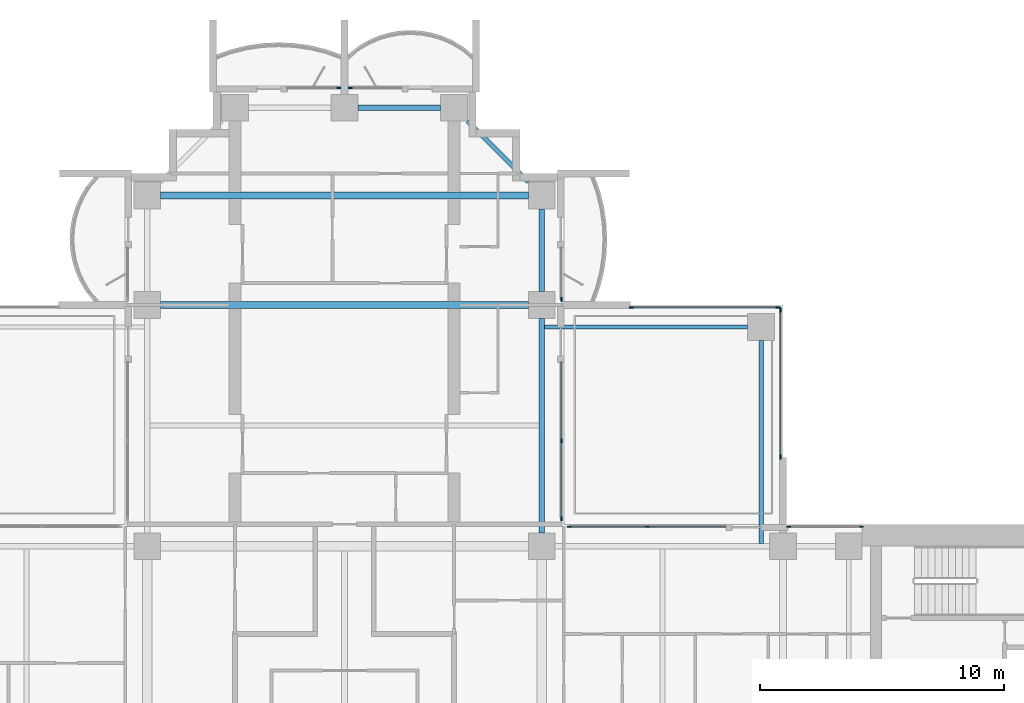
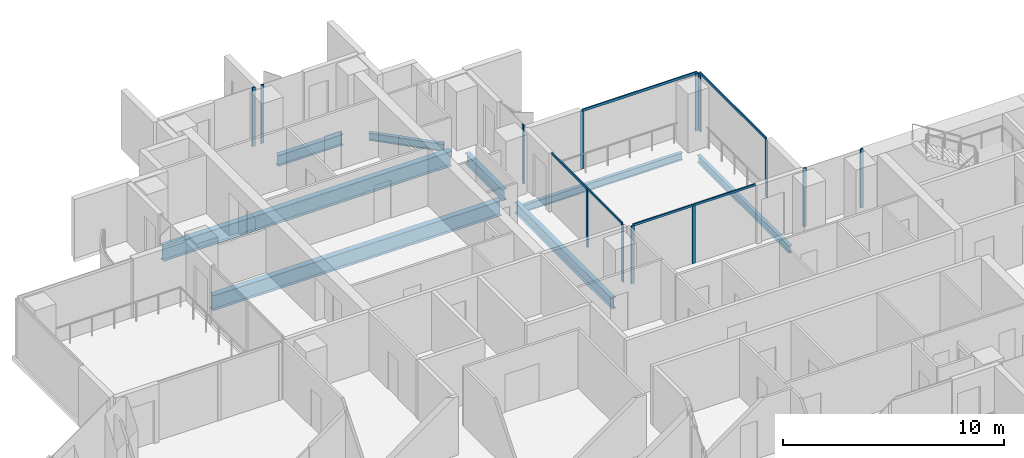
# One storey, part 6 of 19: 17 members, 8 beams, 8 elements without a shape of their own.
"""IFC4 building model written with IfcOpenShell, lengths in metres."""

from ifc_helpers import new_model, si_unit, direction, frame, origin, origin_2d, place, context, subcontext, project, spatial, rectangle, i_section, extrude, material, material_profile, profile_set, type_object, element, aggregate, save


model = new_model("IFC4")

# Units and contexts
model_context = context("Model", 3, precision=1e-05, world=origin(), true_north=direction((0.0, 1.0)))
body_context = subcontext(model_context, "Body", "Model", "MODEL_VIEW")
ifc_project = project(units=[si_unit("LENGTHUNIT", "METRE"), si_unit("AREAUNIT", "SQUARE_METRE"), si_unit("VOLUMEUNIT", "CUBIC_METRE"), si_unit("PLANEANGLEUNIT", "RADIAN"), si_unit("MASSUNIT", "GRAM", prefix="KILO")], contexts=[model_context])

# Site, building, storey
site_placement = place(None, origin())
site = spatial("IfcSite", under=ifc_project, at=site_placement, CompositionType="ELEMENT")
building_placement = place(site_placement, origin())
building = spatial("IfcBuilding", under=site, at=building_placement, Name="Perihelion Cross Residences", CompositionType="ELEMENT")
storey_placement = place(building_placement, frame((0.0, 0.0, 112.89990234375)))
storey = spatial("IfcBuildingStorey", under=building, at=storey_placement, Name="L26", CompositionType="ELEMENT", Elevation=112.89990234375)

# Curtain wall, members
ifc_material_1 = material(Name="Bronze anodised aluminium, tinted glazing", Category="aluminium")
curtain_wall_type_1 = type_object("IfcCurtainWallType", Name="CW1", PredefinedType="NOTDEFINED", material=ifc_material_1)
curtain_wall_1_placement = place(storey_placement, origin())
curtain_wall_1 = element("IfcCurtainWall", 1, at=curtain_wall_1_placement, inside=storey, type_object=curtain_wall_type_1, Name="Curtain wall CW1 L26 east side north bay 1", PredefinedType="NOTDEFINED")
ifc_material_2 = material(Name="Bronze anodised aluminium", Category="aluminium")
ifc_material_profile_1 = material_profile(ifc_material_2, rectangle(XDim=0.06005859375, YDim=0.159912109375, at=origin_2d()), Name="CW1 mullion")
ifc_profile_set_1 = profile_set([ifc_material_profile_1], Name="Bronze anodised aluminium")
member_type_1 = type_object("IfcMemberType", Name="CW1 mullion", PredefinedType="MULLION", material=ifc_profile_set_1)
member_1_placement = place(storey_placement, frame((21.219970703125, 8.89990234375, 0.0), z_axis=(0.0, 0.0, 1.0), x_axis=(0.0, -1.0, 0.0)))
member_1 = element("IfcMember", 2, at=member_1_placement, type_object=member_type_1, Name="CW1 mullion 1", PredefinedType="MULLION", context=body_context, shape_type="SweptSolid", body=[
    extrude(rectangle(XDim=0.06005859375, YDim=0.159912109375, at=origin_2d()), origin(), (0.0, 0.0, 1.0), 3.25),
])
member_2_placement = place(storey_placement, frame((18.22998046875, 8.89990234375, 0.0), z_axis=(0.0, 0.0, 1.0), x_axis=(0.0, -1.0, 0.0)))
member_2 = element("IfcMember", 3, at=member_2_placement, type_object=member_type_1, Name="CW1 mullion 2", PredefinedType="MULLION", context=body_context, shape_type="SweptSolid", body=[
    extrude(rectangle(XDim=0.06005859375, YDim=0.159912109375, at=origin_2d()), origin(), (0.0, 0.0, 1.0), 3.25),
])
aggregate(curtain_wall_1, [member_1, member_2])

curtain_wall_2_placement = place(storey_placement, origin())
curtain_wall_2 = element("IfcCurtainWall", 4, at=curtain_wall_2_placement, inside=storey, type_object=curtain_wall_type_1, Name="Curtain wall CW1 L26 east side north bay 2", PredefinedType="NOTDEFINED")
member_3_placement = place(storey_placement, frame((12.425048828125, 8.89990234375, 0.0), z_axis=(0.0, 0.0, 1.0), x_axis=(0.0, -1.0, 0.0)))
member_3 = element("IfcMember", 5, at=member_3_placement, type_object=member_type_1, Name="CW1 mullion 2", PredefinedType="MULLION", context=body_context, shape_type="SweptSolid", body=[
    extrude(rectangle(XDim=0.06005859375, YDim=0.159912109375, at=origin_2d()), origin(), (0.0, 0.0, 1.0), 3.190185546875),
])
member_4_placement = place(storey_placement, frame((9.22998046875, 8.89990234375, 0.0), z_axis=(0.0, 0.0, 1.0), x_axis=(0.0, -1.0, 0.0)))
member_4 = element("IfcMember", 6, at=member_4_placement, type_object=member_type_1, Name="CW1 mullion 3", PredefinedType="MULLION", context=body_context, shape_type="SweptSolid", body=[
    extrude(rectangle(XDim=0.06005859375, YDim=0.159912109375, at=origin_2d()), origin(), (0.0, 0.0, 1.0), 3.190185546875),
])

curtain_wall_3_placement = place(storey_placement, origin())
curtain_wall_3 = element("IfcCurtainWall", 7, at=curtain_wall_3_placement, inside=storey, type_object=curtain_wall_type_1, Name="Curtain wall CW1 L26 north side east bay 1", PredefinedType="NOTDEFINED")
member_5_placement = place(storey_placement, frame((8.89990234375, 9.22998046875, 0.0), z_axis=(0.0, 0.0, 1.0), x_axis=(-1.0, 0.0, 0.0)))
member_5 = element("IfcMember", 8, at=member_5_placement, type_object=member_type_1, Name="CW1 mullion 1", PredefinedType="MULLION", context=body_context, shape_type="SweptSolid", body=[
    extrude(rectangle(XDim=0.06005859375, YDim=0.159912109375, at=origin_2d()), origin(), (0.0, 0.0, 1.0), 3.190185546875),
])
member_6_placement = place(storey_placement, frame((8.89990234375, 12.425048828125, 0.0), z_axis=(0.0, 0.0, 1.0), x_axis=(-1.0, 0.0, 0.0)))
member_6 = element("IfcMember", 9, at=member_6_placement, type_object=member_type_1, Name="CW1 mullion 2", PredefinedType="MULLION", context=body_context, shape_type="SweptSolid", body=[
    extrude(rectangle(XDim=0.06005859375, YDim=0.159912109375, at=origin_2d()), origin(), (0.0, 0.0, 1.0), 3.190185546875),
])

# Curtain wall, member
curtain_wall_4_placement = place(storey_placement, origin())
curtain_wall_4 = element("IfcCurtainWall", 10, at=curtain_wall_4_placement, inside=storey, type_object=curtain_wall_type_1, Name="Curtain wall CW1 L26 north side east bay 2", PredefinedType="NOTDEFINED")
member_7_placement = place(storey_placement, frame((8.89990234375, 18.22998046875, 0.0), z_axis=(0.0, 0.0, 1.0), x_axis=(-1.0, 0.0, 0.0)))
member_7 = element("IfcMember", 11, at=member_7_placement, type_object=member_type_1, Name="CW1 mullion 1", PredefinedType="MULLION", context=body_context, shape_type="SweptSolid", body=[
    extrude(rectangle(XDim=0.06005859375, YDim=0.159912109375, at=origin_2d()), origin(), (0.0, 0.0, 1.0), 3.25),
])
aggregate(curtain_wall_4, [member_7])

curtain_wall_5_placement = place(storey_placement, origin())
curtain_wall_5 = element("IfcCurtainWall", 12, at=curtain_wall_5_placement, inside=storey, type_object=curtain_wall_type_1, Name="Curtain wall CW1 L26 north tip north bay 1", PredefinedType="NOTDEFINED")
member_8_placement = place(storey_placement, frame((0.22998046875, 26.89990234375, 0.0), z_axis=(0.0, 0.0, 1.0), x_axis=(0.0, -1.0, 0.0)))
member_8 = element("IfcMember", 13, at=member_8_placement, type_object=member_type_1, Name="CW1 mullion 2", PredefinedType="MULLION", context=body_context, shape_type="SweptSolid", body=[
    extrude(rectangle(XDim=0.06005859375, YDim=0.159912109375, at=origin_2d()), origin(), (0.0, 0.0, 1.0), 3.25),
])
aggregate(curtain_wall_5, [member_8])

curtain_wall_6_placement = place(storey_placement, origin())
curtain_wall_6 = element("IfcCurtainWall", 14, at=curtain_wall_6_placement, inside=storey, type_object=curtain_wall_type_1, Name="Curtain wall CW1 L26 north tip north bay 2", PredefinedType="NOTDEFINED")
member_9_placement = place(storey_placement, frame((-0.22998046875, 26.89990234375, 0.0), z_axis=(0.0, 0.0, 1.0), x_axis=(0.0, -1.0, 0.0)))
member_9 = element("IfcMember", 15, at=member_9_placement, type_object=member_type_1, Name="CW1 mullion 1", PredefinedType="MULLION", context=body_context, shape_type="SweptSolid", body=[
    extrude(rectangle(XDim=0.06005859375, YDim=0.159912109375, at=origin_2d()), origin(), (0.0, 0.0, 1.0), 3.25),
])
aggregate(curtain_wall_6, [member_9])

# Member
ifc_material_3 = material(Name="Bronze anodised aluminium", Category="aluminium")
ifc_material_profile_2 = material_profile(ifc_material_3, rectangle(XDim=0.06005859375, YDim=0.1201171875, at=origin_2d()), Name="CW1 transom")
ifc_profile_set_2 = profile_set([ifc_material_profile_2], Name="Bronze anodised aluminium")
member_type_2 = type_object("IfcMemberType", Name="CW1 transom", PredefinedType="USERDEFINED", material=ifc_profile_set_2)
member_10_placement = place(storey_placement, frame((15.64990234375, 8.89990234375, 3.22021484375), z_axis=(-1.0, 0.0, 0.0), x_axis=(0.0, -1.0, 0.0)))
member_10 = element("IfcMember", 16, at=member_10_placement, type_object=member_type_2, Name="CW1 head transom", ObjectType="TRANSOM", PredefinedType="USERDEFINED", context=body_context, shape_type="SweptSolid", body=[
    extrude(rectangle(XDim=0.06005859375, YDim=0.1201171875, at=origin_2d()), origin(), (0.0, 0.0, 1.0), 6.419921875),
])

aggregate(curtain_wall_2, [member_3, member_4, member_10])

member_11_placement = place(storey_placement, frame((8.89990234375, 9.22998046875, 3.22021484375), z_axis=(0.0, 1.0, 0.0), x_axis=(-1.0, 0.0, 0.0)))
member_11 = element("IfcMember", 17, at=member_11_placement, type_object=member_type_2, Name="CW1 head transom", ObjectType="TRANSOM", PredefinedType="USERDEFINED", context=body_context, shape_type="SweptSolid", body=[
    extrude(rectangle(XDim=0.06005859375, YDim=0.1201171875, at=origin_2d()), origin(), (0.0, 0.0, 1.0), 6.419921875),
])

aggregate(curtain_wall_3, [member_5, member_6, member_11])

# Curtain wall, members
ifc_material_4 = material(Name="Bronze anodised aluminium, tinted glazing", Category="aluminium")
curtain_wall_type_2 = type_object("IfcCurtainWallType", Name="CW4", PredefinedType="NOTDEFINED", material=ifc_material_4)
curtain_wall_7_placement = place(storey_placement, origin())
curtain_wall_7 = element("IfcCurtainWall", 18, at=curtain_wall_7_placement, inside=storey, type_object=curtain_wall_type_2, Name="Curtain wall CW4 L26 pocket north-east 1 1", PredefinedType="NOTDEFINED")
ifc_material_5 = material(Name="Bronze anodised aluminium", Category="aluminium")
ifc_material_profile_3 = material_profile(ifc_material_5, rectangle(XDim=0.06005859375, YDim=0.179931640625, at=origin_2d()), Name="CW4 mullion")
ifc_profile_set_3 = profile_set([ifc_material_profile_3], Name="Bronze anodised aluminium")
member_type_3 = type_object("IfcMemberType", Name="CW4 mullion", PredefinedType="MULLION", material=ifc_profile_set_3)
member_12_placement = place(storey_placement, frame((11.77001953125, 17.89990234375, 0.0), z_axis=(0.0, 0.0, 1.0), x_axis=(0.0, 1.0, 0.0)))
member_12 = element("IfcMember", 19, at=member_12_placement, type_object=member_type_3, Name="CW4 mullion 1", PredefinedType="MULLION", context=body_context, shape_type="SweptSolid", body=[
    extrude(rectangle(XDim=0.06005859375, YDim=0.179931640625, at=origin_2d()), origin(), (0.0, 0.0, 1.0), 3.190185546875),
])
member_13_placement = place(storey_placement, frame((17.800048828125, 17.89990234375, 0.0), z_axis=(0.0, 0.0, 1.0), x_axis=(0.0, 1.0, 0.0)))
member_13 = element("IfcMember", 20, at=member_13_placement, type_object=member_type_3, Name="CW4 mullion 2", PredefinedType="MULLION", context=body_context, shape_type="SweptSolid", body=[
    extrude(rectangle(XDim=0.06005859375, YDim=0.179931640625, at=origin_2d()), origin(), (0.0, 0.0, 1.0), 3.190185546875),
])

curtain_wall_8_placement = place(storey_placement, origin())
curtain_wall_8 = element("IfcCurtainWall", 21, at=curtain_wall_8_placement, inside=storey, type_object=curtain_wall_type_2, Name="Curtain wall CW4 L26 pocket north-east 1 2", PredefinedType="NOTDEFINED")
member_14_placement = place(storey_placement, frame((17.89990234375, 17.800048828125, 0.0), z_axis=(0.0, 0.0, 1.0), x_axis=(1.0, 0.0, 0.0)))
member_14 = element("IfcMember", 22, at=member_14_placement, type_object=member_type_3, Name="CW4 mullion 1", PredefinedType="MULLION", context=body_context, shape_type="SweptSolid", body=[
    extrude(rectangle(XDim=0.06005859375, YDim=0.179931640625, at=origin_2d()), origin(), (0.0, 0.0, 1.0), 3.190185546875),
])
member_15_placement = place(storey_placement, frame((17.89990234375, 11.77001953125, 0.0), z_axis=(0.0, 0.0, 1.0), x_axis=(1.0, 0.0, 0.0)))
member_15 = element("IfcMember", 23, at=member_15_placement, type_object=member_type_3, Name="CW4 mullion 2", PredefinedType="MULLION", context=body_context, shape_type="SweptSolid", body=[
    extrude(rectangle(XDim=0.06005859375, YDim=0.179931640625, at=origin_2d()), origin(), (0.0, 0.0, 1.0), 3.190185546875),
])

# Member
ifc_material_6 = material(Name="Bronze anodised aluminium", Category="aluminium")
ifc_material_profile_4 = material_profile(ifc_material_6, rectangle(XDim=0.06005859375, YDim=0.139892578125, at=origin_2d()), Name="CW4 transom")
ifc_profile_set_4 = profile_set([ifc_material_profile_4], Name="Bronze anodised aluminium")
member_type_4 = type_object("IfcMemberType", Name="CW4 transom", PredefinedType="USERDEFINED", material=ifc_profile_set_4)
member_16_placement = place(storey_placement, frame((11.77001953125, 17.89990234375, 3.22021484375), z_axis=(1.0, 0.0, 0.0), x_axis=(0.0, 1.0, 0.0)))
member_16 = element("IfcMember", 24, at=member_16_placement, type_object=member_type_4, Name="CW4 head transom", ObjectType="TRANSOM", PredefinedType="USERDEFINED", context=body_context, shape_type="SweptSolid", body=[
    extrude(rectangle(XDim=0.06005859375, YDim=0.139892578125, at=origin_2d()), origin(), (0.0, 0.0, 1.0), 6.030029296875),
])

aggregate(curtain_wall_7, [member_12, member_13, member_16])

member_17_placement = place(storey_placement, frame((17.89990234375, 17.800048828125, 3.22021484375), z_axis=(0.0, -1.0, 0.0), x_axis=(1.0, 0.0, 0.0)))
member_17 = element("IfcMember", 25, at=member_17_placement, type_object=member_type_4, Name="CW4 head transom", ObjectType="TRANSOM", PredefinedType="USERDEFINED", context=body_context, shape_type="SweptSolid", body=[
    extrude(rectangle(XDim=0.06005859375, YDim=0.139892578125, at=origin_2d()), origin(), (0.0, 0.0, 1.0), 6.030029296875),
])

aggregate(curtain_wall_8, [member_14, member_15, member_17])

# Beams
ifc_material_7 = material(Name="Steel S355", Category="steel")
ifc_material_profile_5 = material_profile(ifc_material_7, i_section(OverallWidth=0.177978515625, OverallDepth=0.406005859375, WebThickness=0.0078125, FlangeThickness=0.0126953125, at=origin_2d()), Name="W410x60")
ifc_profile_set_5 = profile_set([ifc_material_profile_5], Name="Steel S355")
beam_type_1 = type_object("IfcBeamType", Name="Core edge beam W410x60", PredefinedType="BEAM", material=ifc_profile_set_5)
for number, where, z_axis, x_axis, name in (
    (26, (17.10009765625, 8.214599609375, -0.452880859375), (0.0, 1.0, 0.0), (-1.0, 0.0, 0.0), "Core edge beam TB2 L26 corner no. 7"),
    (27, (8.214599609375, 17.10009765625, -0.452880859375), (1.0, 0.0, 0.0), (0.0, 1.0, 0.0), "Core edge beam TB2 L26 corner no. 8"),
):
    element("IfcBeam", number, at=place(storey_placement, frame(where, z_axis=z_axis, x_axis=x_axis)), inside=storey, type_object=beam_type_1, Name=name, PredefinedType="BEAM", context=body_context, shape_type="SweptSolid", body=[
        extrude(i_section(OverallWidth=0.177978515625, OverallDepth=0.406005859375, WebThickness=0.0078125, FlangeThickness=0.0126953125, at=origin_2d()), origin(), (0.0, 0.0, 1.0), 8.33544921875),
    ])
ifc_material_8 = material(Name="Steel S355", Category="steel")
ifc_material_profile_6 = material_profile(ifc_material_8, i_section(OverallWidth=0.22900390625, OverallDepth=0.612060546875, WebThickness=0.011962890625, FlangeThickness=0.01953125, at=origin_2d()), Name="W610x125")
ifc_profile_set_6 = profile_set([ifc_material_profile_6], Name="Steel S355")
beam_type_2 = type_object("IfcBeamType", Name="Edge beam W610x125", PredefinedType="SPANDREL", material=ifc_profile_set_6)
beam_1_placement = place(storey_placement, frame((8.10009765625, 8.64990234375, -0.555908203125), z_axis=(0.0, 1.0, 0.0), x_axis=(-1.0, 0.0, 0.0)))
element("IfcBeam", 28, at=beam_1_placement, inside=storey, type_object=beam_type_2, Name="Edge beam SB3 L26 no. 18", PredefinedType="SPANDREL", context=body_context, shape_type="SweptSolid", body=[
    extrude(i_section(OverallWidth=0.22900390625, OverallDepth=0.612060546875, WebThickness=0.011962890625, FlangeThickness=0.01953125, at=origin_2d()), origin(), (0.0, 0.0, 1.0), 8.800048828125),
])
for number, where, z_axis, x_axis, name in (
    (29, (8.10009765625, 18.550048828125, -0.555908203125), (0.0, 1.0, 0.0), (-1.0, 0.0, 0.0), "Edge beam SB3 L26 no. 17"),
    (30, (3.949951171875, 26.10009765625, -0.555908203125), (-1.0, 0.0, 0.0), (0.0, -1.0, 0.0), "Edge beam SB3 L26 no. 14"),
):
    element("IfcBeam", number, at=place(storey_placement, frame(where, z_axis=z_axis, x_axis=x_axis)), inside=storey, type_object=beam_type_2, Name=name, PredefinedType="SPANDREL", context=body_context, shape_type="SweptSolid", body=[
        extrude(i_section(OverallWidth=0.22900390625, OverallDepth=0.612060546875, WebThickness=0.011962890625, FlangeThickness=0.01953125, at=origin_2d()), origin(), (0.0, 0.0, 1.0), 3.39990234375),
    ])
ifc_material_9 = material(Name="Steel S355", Category="steel")
ifc_material_profile_7 = material_profile(ifc_material_9, i_section(OverallWidth=0.2919921875, OverallDepth=0.8359375, WebThickness=0.013916015625, FlangeThickness=0.018798828125, at=origin_2d()), Name="W840x176")
ifc_profile_set_7 = profile_set([ifc_material_profile_7], Name="Steel S355")
beam_type_3 = type_object("IfcBeamType", Name="Floor girder W840x176", PredefinedType="BEAM", material=ifc_profile_set_7)
for number, where, z_axis, x_axis, name in (
    (31, (-7.550048828125, 18.0, -0.66796875), (1.0, 0.0, 0.0), (0.0, 1.0, 0.0), "Girder G3 L26 no. 4"),
    (32, (-7.550048828125, 22.5, -0.66796875), (1.0, 0.0, 0.0), (0.0, 1.0, 0.0), "Girder G3 L26 no. 5"),
):
    element("IfcBeam", number, at=place(storey_placement, frame(where, z_axis=z_axis, x_axis=x_axis)), inside=storey, type_object=beam_type_3, Name=name, PredefinedType="BEAM", context=body_context, shape_type="SweptSolid", body=[
        extrude(i_section(OverallWidth=0.2919921875, OverallDepth=0.8359375, WebThickness=0.013916015625, FlangeThickness=0.018798828125, at=origin_2d()), origin(), (0.0, 0.0, 1.0), 15.10009765625),
    ])
ifc_material_10 = material(Name="Steel S355", Category="steel")
ifc_material_profile_8 = material_profile(ifc_material_10, i_section(OverallWidth=0.180908203125, OverallDepth=0.4169921875, WebThickness=0.010986328125, FlangeThickness=0.018310546875, at=origin_2d()), Name="W410x85")
ifc_profile_set_8 = profile_set([ifc_material_profile_8], Name="Steel S355")
beam_type_4 = type_object("IfcBeamType", Name="Serration edge beam W410x85", PredefinedType="BEAM", material=ifc_profile_set_8)
beam_2_placement = place(storey_placement, frame((7.550048828125, 23.050048828125, -0.45849609375), z_axis=(-0.707106781187, 0.707106781187, 0.0), x_axis=(-0.707106781187, -0.707106781187, 0.0)))
element("IfcBeam", 33, at=beam_2_placement, inside=storey, type_object=beam_type_4, Name="Serration edge beam EB3 L26 no. 4", PredefinedType="BEAM", context=body_context, shape_type="SweptSolid", body=[
    extrude(i_section(OverallWidth=0.180908203125, OverallDepth=0.4169921875, WebThickness=0.010986328125, FlangeThickness=0.018310546875, at=origin_2d()), origin(), (0.0, 0.0, 1.0), 3.53564453125),
])

save(model, "model.ifc")
